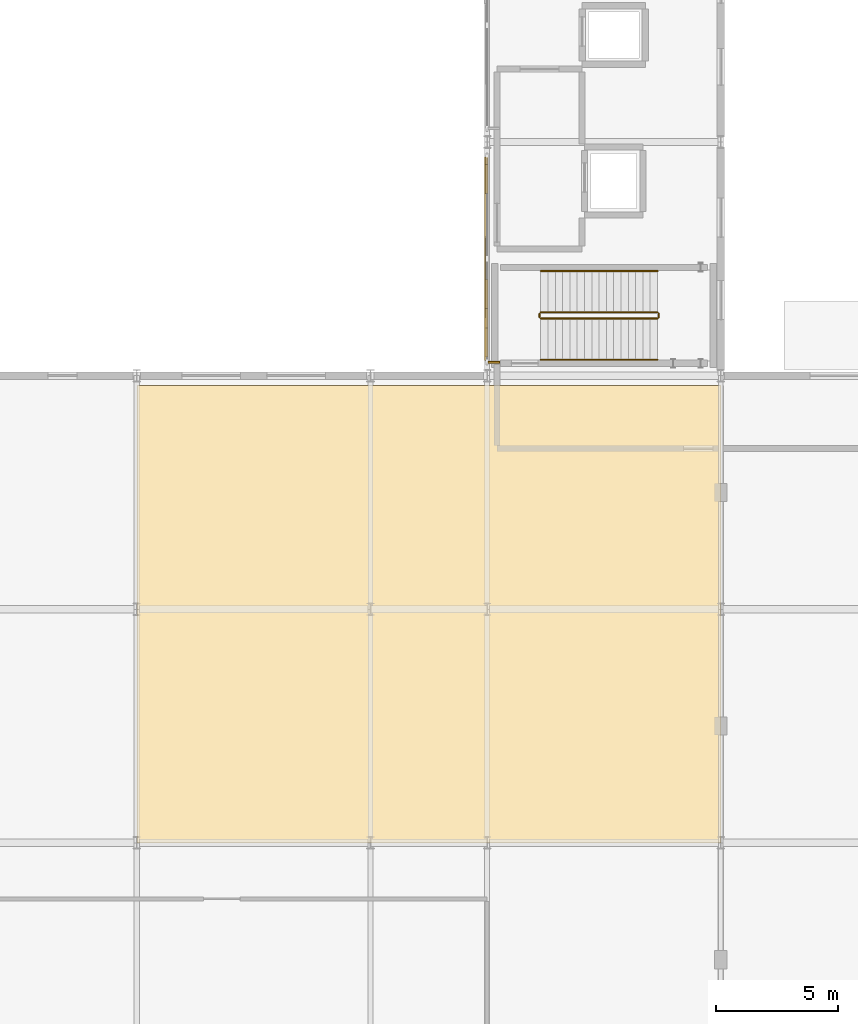
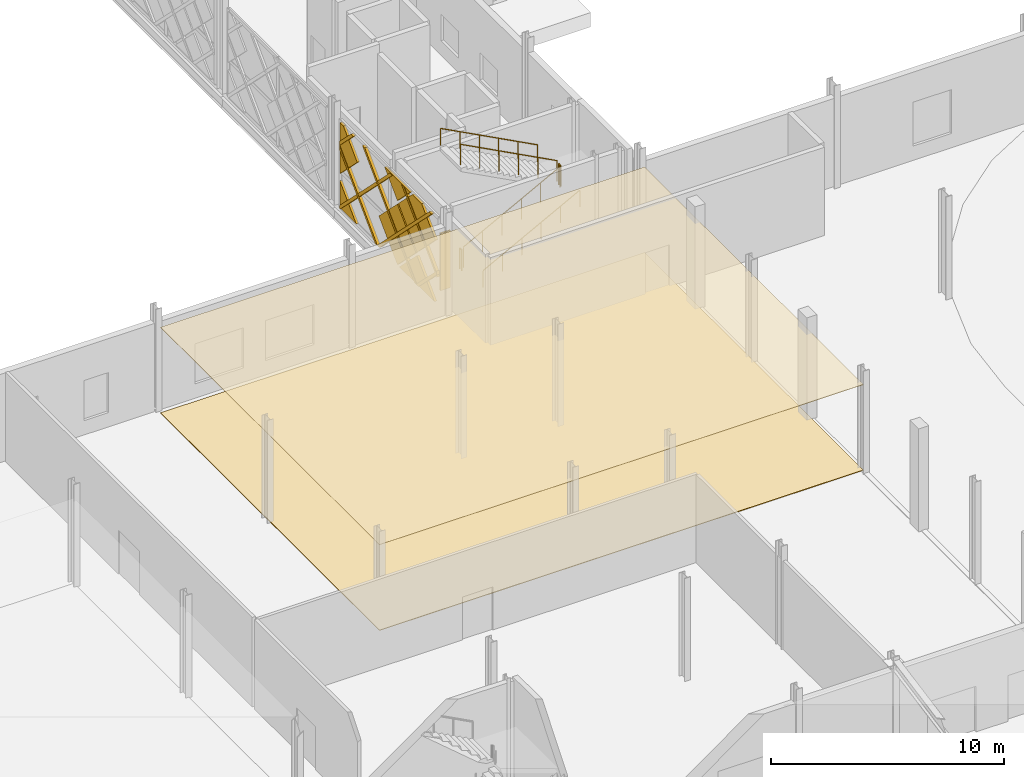
# One storey, part 71 of 84: 15 coverings, 6 railings, 1 shading device.
"""IFC4 building model written with IfcOpenShell, lengths in metres."""

from ifc_helpers import new_model, si_unit, direction, frame, origin, origin_2d, place, context, subcontext, project, spatial, polyline, rectangle, circle, outline, extrude, material, layer, layer_set, type_object, element, save


model = new_model("IFC4")

# Units and contexts
model_context = context("Model", 3, precision=1e-05, world=origin(), true_north=direction((0.0, 1.0)))
body_context = subcontext(model_context, "Body", "Model", "MODEL_VIEW")
ifc_project = project(units=[si_unit("LENGTHUNIT", "METRE"), si_unit("AREAUNIT", "SQUARE_METRE"), si_unit("VOLUMEUNIT", "CUBIC_METRE"), si_unit("PLANEANGLEUNIT", "RADIAN"), si_unit("MASSUNIT", "GRAM", prefix="KILO")], contexts=[model_context])

# Site, building, storey
site_placement = place(None, origin())
site = spatial("IfcSite", under=ifc_project, at=site_placement, CompositionType="ELEMENT")
building_placement = place(site_placement, origin())
building = spatial("IfcBuilding", under=site, at=building_placement, Name="Zevrakil Square Congress Hotel", CompositionType="ELEMENT")
storey_placement = place(building_placement, origin())
storey = spatial("IfcBuildingStorey", under=building, at=storey_placement, Name="L01", CompositionType="ELEMENT", Elevation=0.0)

# Coverings
ifc_material_1 = material(Name="Acoustic Perforated Timber Ceiling", Category="wood")
ifc_layer_1 = layer(ifc_material_1, 0.02490234375)
ifc_layer_set_1 = layer_set([ifc_layer_1], Name="Acoustic Perforated Timber Ceiling")
covering_type_1 = type_object("IfcCoveringType", Name="COV-CEIL-ACOUSTIC-025", PredefinedType="CEILING", material=ifc_layer_set_1)
covering_1_placement = place(storey_placement, frame((0.0, 0.0, 4.489990234375)))
element("IfcCovering", 1, at=covering_1_placement, inside=storey, type_object=covering_type_1, Name="L01 acoustic perforated timber ceiling 2", PredefinedType="CEILING", context=body_context, shape_type="SweptSolid", body=[
    extrude(outline(polyline([(93.60009765625, 26.39990234375), (117.60009765625, 26.39990234375), (117.60009765625, 45.199951171875), (93.60009765625, 45.199951171875), (93.60009765625, 26.39990234375)])), origin(), (0.0, 0.0, 1.0), 0.02490234375),
])
ifc_material_2 = material(Name="Architectural White Fibre-C GRC", Category="concrete")
ifc_layer_2 = layer(ifc_material_2, 0.06494140625)
ifc_layer_set_2 = layer_set([ifc_layer_2], Name="Architectural White Fibre-C GRC")
covering_type_2 = type_object("IfcCoveringType", Name="COV-DIA-WHITE", PredefinedType="CLADDING", material=ifc_layer_set_2)
covering_2_placement = place(storey_placement, frame((107.905029296875, 53.169921875, 0.080078125), z_axis=(-0.999999760125, 0.0, 0.000692640526), x_axis=(0.0, 1.0, 0.0)))
element("IfcCovering", 2, at=covering_2_placement, inside=storey, type_object=covering_type_2, Name="L01 45-degree white GRC diamond facade cassette 1735", PredefinedType="CLADDING", context=body_context, shape_type="SweptSolid", body=[
    extrude(outline(polyline([(0.0, 0.0), (1.41015625, 0.0), (1.41015625, -1.4099124475784226), (0.0, 0.0)])), origin(), (0.0, 0.0, -1.0), 0.1201171875),
])
covering_3_placement = place(storey_placement, frame((107.906005859375, 47.9599609375, 1.590087890625), z_axis=(-0.999999790873, 0.0, 0.000646725815), x_axis=(-0.000457304257, -0.707106707249, -0.707106707249)))
element("IfcCovering", 3, at=covering_3_placement, inside=storey, type_object=covering_type_2, Name="L01 45-degree white GRC diamond facade cassette 1736", PredefinedType="CLADDING", context=body_context, shape_type="SweptSolid", body=[
    extrude(outline(polyline([(0.0, 0.0), (2.1354765131557993, 0.0), (4.465861884739297e-07, -2.1354765131557527), (0.0, 0.0)])), origin(), (0.0, 0.0, -1.0), 0.1201171875),
])
covering_4_placement = place(storey_placement, frame((107.906982421875, 49.639892578125, 3.27001953125), z_axis=(-0.999999811377, 0.0, 0.000614203339), x_axis=(-0.00043434073, -0.707052423991, -0.707161000817)))
element("IfcCovering", 4, at=covering_4_placement, inside=storey, type_object=covering_type_2, Name="L01 45-degree white GRC diamond facade cassette 1737", PredefinedType="CLADDING", context=body_context, shape_type="SweptSolid", body=[
    extrude(outline(polyline([(0.0, 0.0), (2.2485514454867683, -2.220446049250313e-16), (2.2487244898357783, -2.248378798725448), (0.0001730708570240047, -2.2487240656748693), (0.0, 0.0)])), origin(), (0.0, 0.0, -1.0), 0.1201171875),
])
covering_5_placement = place(storey_placement, frame((107.906982421875, 53.090087890625, 3.360107421875), z_axis=(-0.999999796878, -1.512394e-05, 0.000637193652), x_axis=(-0.000461258238, 0.707106705284, -0.707106706646)))
element("IfcCovering", 5, at=covering_5_placement, inside=storey, type_object=covering_type_2, Name="L01 45-degree white GRC diamond facade cassette 1738", PredefinedType="CLADDING", context=body_context, shape_type="SweptSolid", body=[
    extrude(outline(polyline([(0.0, 0.0), (2.1071646235448123, 0.0), (0.21579150176201412, -1.8913727160652019), (-3.394500039943793e-07, -1.6755808285750262), (0.0, 0.0)])), origin(), (0.0, 0.0, -1.0), 0.1201171875),
])
covering_6_placement = place(storey_placement, frame((107.906982421875, 46.3701171875, 3.360107421875), z_axis=(-0.999999810212, 0.0, 0.000616097645), x_axis=(-0.00043568031, 0.707052423992, -0.707160999992)))
element("IfcCovering", 6, at=covering_6_placement, inside=storey, type_object=covering_type_2, Name="L01 45-degree white GRC diamond facade cassette 1739", PredefinedType="CLADDING", context=body_context, shape_type="SweptSolid", body=[
    extrude(outline(polyline([(0.0, 0.0), (2.2485514454846505, 2.220446049250313e-16), (2.248378374631862, -2.2487240656727514), (0.572624930769719, -2.248422777544064), (-0.00012896151653973842, -1.6755808236168326), (0.0, 0.0)])), origin(), (0.0, 0.0, -1.0), 0.1201171875),
])
covering_7_placement = place(storey_placement, frame((107.906982421875, 49.639892578125, 3.449951171875), z_axis=(-0.999999776289, 0.0, 0.000668896171), x_axis=(0.000472928345, 0.707185519108, 0.707027876326)))
element("IfcCovering", 7, at=covering_7_placement, inside=storey, type_object=covering_type_2, Name="L01 45-degree white GRC diamond facade cassette 1740", PredefinedType="CLADDING", context=body_context, shape_type="SweptSolid", body=[
    extrude(outline(polyline([(0.0, 0.0), (1.548695235065375, 0.0), (-0.00017226784455326438, -1.5485225823893258), (0.0, 0.0)])), origin(), (0.0, 0.0, -1.0), 0.1201171875),
])
ifc_material_3 = material(Name="Anodised Champagne Aluminium", Category="aluminium")
ifc_layer_3 = layer(ifc_material_3, 0.0849609375)
ifc_layer_set_3 = layer_set([ifc_layer_3], Name="Anodised Champagne Aluminium")
covering_type_3 = type_object("IfcCoveringType", Name="COV-DIAGRID-45", PredefinedType="MOLDING", material=ifc_layer_set_3)
covering_8_placement = place(storey_placement, frame((107.882080078125, 54.580078125, 3.35400390625), z_axis=(-0.999999886071, -0.000337533715, 0.000337533715), x_axis=(0.000337533696, 1.13929e-07, 0.999999943035)))
element("IfcCovering", 8, at=covering_8_placement, inside=storey, type_object=covering_type_3, Name="L01 45-degree aluminium diagrid rib 1741", PredefinedType="MOLDING", context=body_context, shape_type="SweptSolid", body=[
    extrude(outline(polyline([(0.0, 0.0), (0.21215819103951278, -2.8078904387053947e-24), (1.1909180365900578, -0.9790040976986103), (1.1909180124190826, -1.1911622887381215), (0.0, 0.0)])), origin(), (0.0, 0.0, -1.0), 0.14501953125),
])
covering_9_placement = place(storey_placement, frame((107.8798828125, 54.493896484375, 0.080078125), z_axis=(-0.999999397125, 0.000383554407, 0.001028899917), x_axis=(0.000383554204, 0.999999926443, -3.94639e-07)))
element("IfcCovering", 9, at=covering_9_placement, inside=storey, type_object=covering_type_3, Name="L01 45-degree aluminium diagrid rib 1742", PredefinedType="MOLDING", context=body_context, shape_type="SweptSolid", body=[
    extrude(outline(polyline([(0.0, 0.0), (0.08618163428573754, 0.0), (0.08618167821162001, -0.12597674701465825), (-4.252685872368314, -4.464844401034453), (-4.465088200494636, -4.464844401034453), (0.0, 0.0)])), origin(), (0.0, 0.0, -1.0), 0.14501953125),
])
covering_10_placement = place(storey_placement, frame((107.8798828125, 51.1337890625, 0.080078125), z_axis=(-0.999999784722, 0.0, 0.000656167838), x_axis=(0.0, 1.0, 0.0)))
element("IfcCovering", 10, at=covering_10_placement, inside=storey, type_object=covering_type_3, Name="L01 45-degree aluminium diagrid rib 1743", PredefinedType="MOLDING", context=body_context, shape_type="SweptSolid", body=[
    extrude(outline(polyline([(0.0, 0.0), (0.21240234375, 0.0), (-4.252685546875, -4.464844711183459), (-4.46484375, -4.464844711183459), (0.0, 0.0)])), origin(), (0.0, 0.0, -1.0), 0.14501953125),
])
covering_11_placement = place(storey_placement, frame((107.8798828125, 47.77392578125, 0.080078125), z_axis=(-0.999999864806, -0.000367898991, 0.000367476119), x_axis=(-0.000367898966, 0.999999932325, 1.35194e-07)))
element("IfcCovering", 11, at=covering_11_placement, inside=storey, type_object=covering_type_3, Name="L01 45-degree aluminium diagrid rib 1744", PredefinedType="MOLDING", context=body_context, shape_type="SweptSolid", body=[
    extrude(outline(polyline([(0.0, 0.0), (0.21215818876722836, 0.0), (-1.5539551832886624, -1.7661136105824378), (-1.5539552120042066, -1.5537112811737082), (0.0, 0.0)])), origin(), (0.0, 0.0, -1.0), 0.14501953125),
])
covering_12_placement = place(storey_placement, frame((107.8818359375, 54.580078125, 3.15380859375), z_axis=(-0.99999956307, -0.000248555027, 0.000901155454), x_axis=(0.000901155497, -6.1709e-08, 0.999999593959)))
element("IfcCovering", 12, at=covering_12_placement, inside=storey, type_object=covering_type_3, Name="L01 45-degree aluminium diagrid rib 1745", PredefinedType="MOLDING", context=body_context, shape_type="SweptSolid", body=[
    extrude(outline(polyline([(0.0, 0.0), (0.21240247751467006, 1.3234889800848443e-23), (-3.0737307779771657, -3.2861331036834778), (-3.073730791069141, -3.073974907112003), (0.0, 0.0)])), origin(), (0.0, 0.0, -1.0), 0.14501953125),
])
covering_13_placement = place(storey_placement, frame((107.8828125, 52.611083984375, 4.544921875), z_axis=(-0.999999784722, 0.0, 0.000656167838), x_axis=(0.0, -1.0, 0.0)))
element("IfcCovering", 13, at=covering_13_placement, inside=storey, type_object=covering_type_3, Name="L01 45-degree aluminium diagrid rib 1746", PredefinedType="MOLDING", context=body_context, shape_type="SweptSolid", body=[
    extrude(outline(polyline([(0.0, 0.0), (0.212158203125, 0.0), (4.67724609375, -4.46484471118346), (4.465087890625, -4.46484471118346), (0.0, 0.0)])), origin(), (0.0, 0.0, -1.0), 0.14501953125),
])
covering_14_placement = place(storey_placement, frame((107.8828125, 49.251220703125, 4.544921875), z_axis=(-0.999999571141, -0.000262208902, 0.000888236855), x_axis=(0.000262208798, -0.999999965623, -2.32904e-07)))
element("IfcCovering", 14, at=covering_14_placement, inside=storey, type_object=covering_type_3, Name="L01 45-degree aluminium diagrid rib 1747", PredefinedType="MOLDING", context=body_context, shape_type="SweptSolid", body=[
    extrude(outline(polyline([(0.0, 0.0), (0.2124023364482967, 1.124448645189272e-23), (3.031250104204541, -2.8188480622470005), (3.031250089601134, -3.0310063985340183), (0.0, 0.0)])), origin(), (0.0, 0.0, -1.0), 0.14501953125),
])
ifc_material_4 = material(Name="Honed Addis Basalt Stone Flooring", Category="masonry")
ifc_layer_4 = layer(ifc_material_4, 0.030029296875)
ifc_layer_set_4 = layer_set([ifc_layer_4], Name="Honed Addis Basalt Stone Flooring")
covering_type_4 = type_object("IfcCoveringType", Name="COV-FLOR-BASALT-030", PredefinedType="FLOORING", material=ifc_layer_set_4)
covering_15_placement = place(storey_placement, origin())
element("IfcCovering", 15, at=covering_15_placement, inside=storey, type_object=covering_type_4, Name="L01 honed basalt stone flooring 2", PredefinedType="FLOORING", context=body_context, shape_type="SweptSolid", body=[
    extrude(outline(polyline([(93.60009765625, 26.39990234375), (117.60009765625, 26.39990234375), (117.60009765625, 45.199951171875), (93.60009765625, 45.199951171875), (93.60009765625, 26.39990234375)])), origin(), (0.0, 0.0, 1.0), 0.030029296875),
])

# Railings
ifc_material_5 = material(Name="Steel S355", Category="steel")
railing_type_1 = type_object("IfcRailingType", Name="RLG-STAIR-GUARD-1100", PredefinedType="BALUSTRADE", material=ifc_material_5)
railing_1_placement = place(storey_placement, frame((110.199951171875, 47.949951171875, 0.158935546875)))
element("IfcRailing", 16, at=railing_1_placement, inside=storey, type_object=railing_type_1, Name="L01 ST07 stair guard 1", PredefinedType="BALUSTRADE", context=body_context, shape_type="SweptSolid", body=[
    extrude(circle(Radius=0.02392578125, at=origin_2d()), frame((0.0, 0.0, 1.076171875), z_axis=(0.883802130504, 0.0, 0.467860870469), x_axis=(0.0, 1.0, 0.0)), (0.0, 0.0, 1.0), 5.43115234375),
    extrude(circle(Radius=0.02099609375, at=origin_2d()), origin(), (0.0, 0.0, 1.0), 1.052001953125),
    extrude(circle(Radius=0.02099609375, at=origin_2d()), frame((0.9599609375, 0.0, 0.50830078125)), (0.0, 0.0, 1.0), 1.052001953125),
    extrude(circle(Radius=0.02099609375, at=origin_2d()), frame((1.919921875, 0.0, 1.016357421875)), (0.0, 0.0, 1.0), 1.052001953125),
    extrude(circle(Radius=0.02099609375, at=origin_2d()), frame((2.880126953125, 0.0, 1.524658203125)), (0.0, 0.0, 1.0), 1.052001953125),
    extrude(circle(Radius=0.02099609375, at=origin_2d()), frame((3.840087890625, 0.0, 2.03271484375)), (0.0, 0.0, 1.0), 1.052001953125),
    extrude(circle(Radius=0.02099609375, at=origin_2d()), frame((4.800048828125, 0.0, 2.541015625)), (0.0, 0.0, 1.0), 1.052001953125),
])
railing_2_placement = place(storey_placement, frame((115.050048828125, 48.0, 2.699951171875)))
element("IfcRailing", 17, at=railing_2_placement, inside=storey, type_object=railing_type_1, Name="L01 ST07 stair guard 2", PredefinedType="BALUSTRADE", context=body_context, shape_type="SweptSolid", body=[
    extrude(circle(Radius=0.02392578125, at=origin_2d()), frame((0.0, 0.0, 1.076171875), z_axis=(0.0, 1.0, 0.0), x_axis=(-1.0, 0.0, 0.0)), (0.0, 0.0, 1.0), 0.14990234375),
    extrude(circle(Radius=0.02099609375, at=origin_2d()), origin(), (0.0, 0.0, 1.0), 1.052001953125),
    extrude(circle(Radius=0.02099609375, at=origin_2d()), frame((0.0, 0.14990234375, 0.0)), (0.0, 0.0, 1.0), 1.052001953125),
])
railing_3_placement = place(storey_placement, frame((115.0, 48.199951171875, 2.85888671875)))
element("IfcRailing", 18, at=railing_3_placement, inside=storey, type_object=railing_type_1, Name="L01 ST07 stair guard 3", PredefinedType="BALUSTRADE", context=body_context, shape_type="SweptSolid", body=[
    extrude(circle(Radius=0.02392578125, at=origin_2d()), frame((0.0, 0.0, 1.076171875), z_axis=(-0.883802130504, 0.0, 0.467860870469), x_axis=(0.0, -1.0, 0.0)), (0.0, 0.0, 1.0), 5.43115234375),
    extrude(circle(Radius=0.02099609375, at=origin_2d()), origin(), (0.0, 0.0, 1.0), 1.052001953125),
    extrude(circle(Radius=0.02099609375, at=origin_2d()), frame((-0.9599609375, 0.0, 0.50830078125)), (0.0, 0.0, 1.0), 1.052001953125),
    extrude(circle(Radius=0.02099609375, at=origin_2d()), frame((-1.919921875, 0.0, 1.016357421875)), (0.0, 0.0, 1.0), 1.052001953125),
    extrude(circle(Radius=0.02099609375, at=origin_2d()), frame((-2.880126953125, 0.0, 1.524658203125)), (0.0, 0.0, 1.0), 1.052001953125),
    extrude(circle(Radius=0.02099609375, at=origin_2d()), frame((-3.840087890625, 0.0, 2.03271484375)), (0.0, 0.0, 1.0), 1.052001953125),
    extrude(circle(Radius=0.02099609375, at=origin_2d()), frame((-4.800048828125, 0.0, 2.541015625)), (0.0, 0.0, 1.0), 1.052001953125),
])
railing_4_placement = place(storey_placement, frame((110.14990234375, 48.0, 0.0)))
element("IfcRailing", 19, at=railing_4_placement, inside=storey, type_object=railing_type_1, Name="L01 ST07 stair guard 4", PredefinedType="BALUSTRADE", context=body_context, shape_type="SweptSolid", body=[
    extrude(circle(Radius=0.02392578125, at=origin_2d()), frame((0.0, 0.0, 1.076171875), z_axis=(0.0, 1.0, 0.0), x_axis=(-1.0, 0.0, 0.0)), (0.0, 0.0, 1.0), 0.14990234375),
    extrude(circle(Radius=0.02099609375, at=origin_2d()), origin(), (0.0, 0.0, 1.0), 1.052001953125),
    extrude(circle(Radius=0.02099609375, at=origin_2d()), frame((0.0, 0.14990234375, 0.0)), (0.0, 0.0, 1.0), 1.052001953125),
])
ifc_material_6 = material(Name="Steel S355", Category="steel")
railing_type_2 = type_object("IfcRailingType", Name="RLG-STAIR-HAND-900", PredefinedType="HANDRAIL", material=ifc_material_6)
railing_5_placement = place(storey_placement, frame((110.199951171875, 46.25, 0.158935546875)))
element("IfcRailing", 20, at=railing_5_placement, inside=storey, type_object=railing_type_2, Name="L01 ST07 stair handrail 1", PredefinedType="HANDRAIL", context=body_context, shape_type="SweptSolid", body=[
    extrude(circle(Radius=0.02392578125, at=origin_2d()), frame((0.0, 0.0, 0.8759765625), z_axis=(0.883802130504, 0.0, 0.467860870469), x_axis=(0.0, 1.0, 0.0)), (0.0, 0.0, 1.0), 5.43115234375),
    extrude(circle(Radius=0.02099609375, at=origin_2d()), origin(), (0.0, 0.0, 1.0), 0.851806640625),
    extrude(circle(Radius=0.02099609375, at=origin_2d()), frame((0.9599609375, 0.0, 0.50830078125)), (0.0, 0.0, 1.0), 0.851806640625),
    extrude(circle(Radius=0.02099609375, at=origin_2d()), frame((1.919921875, 0.0, 1.016357421875)), (0.0, 0.0, 1.0), 0.851806640625),
    extrude(circle(Radius=0.02099609375, at=origin_2d()), frame((2.880126953125, 0.0, 1.524658203125)), (0.0, 0.0, 1.0), 0.851806640625),
    extrude(circle(Radius=0.02099609375, at=origin_2d()), frame((3.840087890625, 0.0, 2.03271484375)), (0.0, 0.0, 1.0), 0.851806640625),
    extrude(circle(Radius=0.02099609375, at=origin_2d()), frame((4.800048828125, 0.0, 2.541015625)), (0.0, 0.0, 1.0), 0.851806640625),
])
railing_6_placement = place(storey_placement, frame((115.0, 49.89990234375, 2.85888671875)))
element("IfcRailing", 21, at=railing_6_placement, inside=storey, type_object=railing_type_2, Name="L01 ST07 stair handrail 2", PredefinedType="HANDRAIL", context=body_context, shape_type="SweptSolid", body=[
    extrude(circle(Radius=0.02392578125, at=origin_2d()), frame((0.0, 0.0, 0.8759765625), z_axis=(-0.883802130504, 0.0, 0.467860870469), x_axis=(0.0, -1.0, 0.0)), (0.0, 0.0, 1.0), 5.43115234375),
    extrude(circle(Radius=0.02099609375, at=origin_2d()), origin(), (0.0, 0.0, 1.0), 0.851806640625),
    extrude(circle(Radius=0.02099609375, at=origin_2d()), frame((-0.9599609375, 0.0, 0.50830078125)), (0.0, 0.0, 1.0), 0.851806640625),
    extrude(circle(Radius=0.02099609375, at=origin_2d()), frame((-1.919921875, 0.0, 1.016357421875)), (0.0, 0.0, 1.0), 0.851806640625),
    extrude(circle(Radius=0.02099609375, at=origin_2d()), frame((-2.880126953125, 0.0, 1.524658203125)), (0.0, 0.0, 1.0), 0.851806640625),
    extrude(circle(Radius=0.02099609375, at=origin_2d()), frame((-3.840087890625, 0.0, 2.03271484375)), (0.0, 0.0, 1.0), 0.851806640625),
    extrude(circle(Radius=0.02099609375, at=origin_2d()), frame((-4.800048828125, 0.0, 2.541015625)), (0.0, 0.0, 1.0), 0.851806640625),
])

# Shading device
ifc_material_7 = material(Name="Aluminium Anodised Bronze", Category="aluminium")
shading_device_type = type_object("IfcShadingDeviceType", Name="SHD-FIN-50", PredefinedType="JALOUSIE", material=ifc_material_7)
shading_device_placement = place(storey_placement, frame((108.27001953125, 46.159912109375, 0.8125), z_axis=(0.0, 0.0, 1.0), x_axis=(1.0, 0.0, 0.0)))
element("IfcShadingDevice", 22, at=shading_device_placement, inside=storey, type_object=shading_device_type, Name="L01 aluminium solar shading fin 91", PredefinedType="JALOUSIE", context=body_context, shape_type="SweptSolid", body=[
    extrude(rectangle(XDim=0.5, YDim=0.080078125, at=origin_2d()), origin(), (0.0, 0.0, 1.0), 3.0),
])

save(model, "model.ifc")
